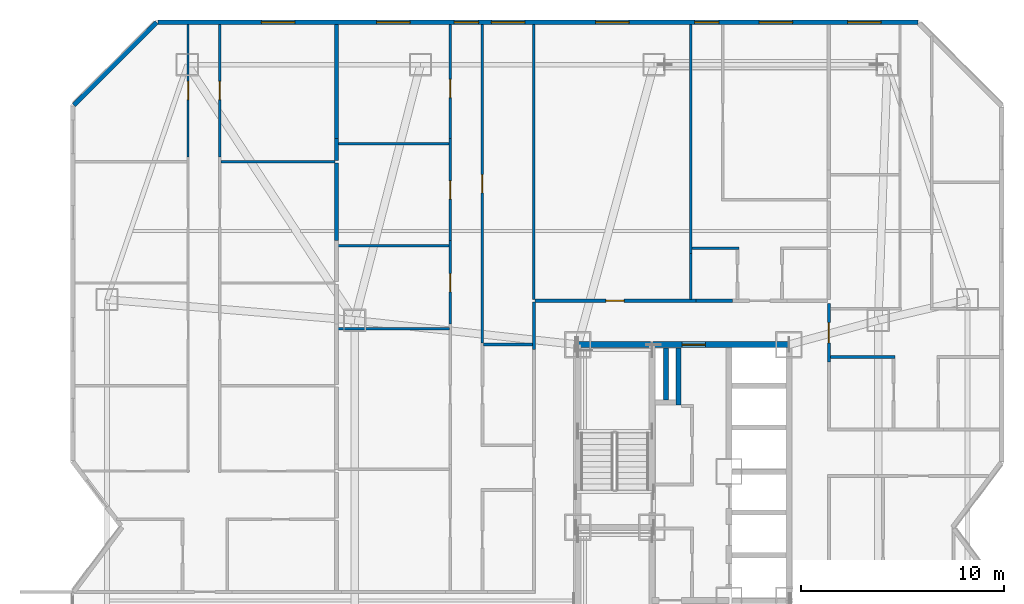
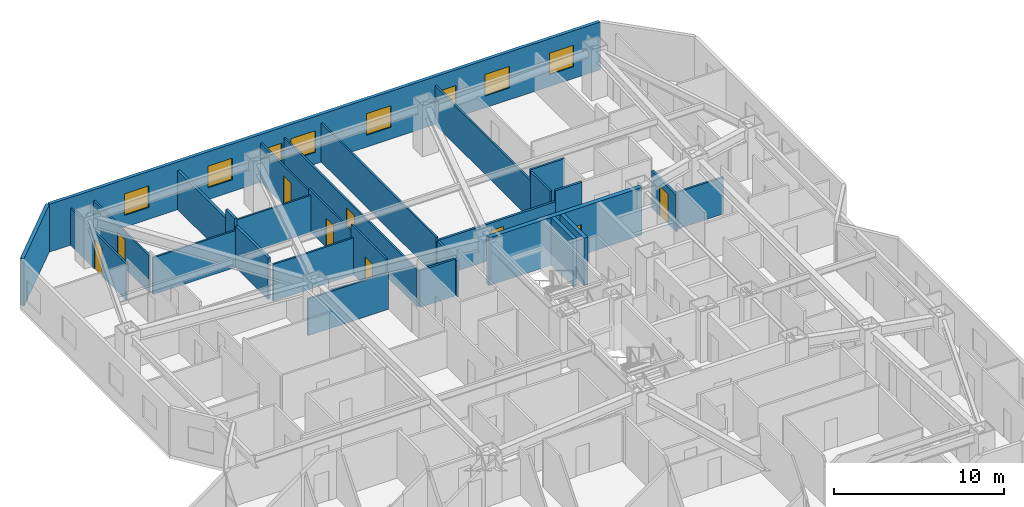
# One storey, part 16 of 19: 28 walls, 9 doors, 8 windows, 17 openings.
"""IFC4 building model written with IfcOpenShell, lengths in metres."""

from ifc_helpers import new_model, si_unit, direction, frame, frame_2d, origin, place, context, subcontext, project, spatial, rectangle, extrude, material, layer, layer_set, type_object, element, fill, save


model = new_model("IFC4")

# Units and contexts
model_context = context("Model", 3, precision=1e-05, world=origin(), true_north=direction((0.0, 1.0)))
body_context = subcontext(model_context, "Body", "Model", "MODEL_VIEW")
ifc_project = project(units=[si_unit("LENGTHUNIT", "METRE"), si_unit("AREAUNIT", "SQUARE_METRE"), si_unit("VOLUMEUNIT", "CUBIC_METRE"), si_unit("PLANEANGLEUNIT", "RADIAN"), si_unit("MASSUNIT", "GRAM", prefix="KILO")], contexts=[model_context])

# Site, building, storey
site_placement = place(None, origin())
site = spatial("IfcSite", under=ifc_project, at=site_placement, CompositionType="ELEMENT")
building_placement = place(site_placement, origin())
building = spatial("IfcBuilding", under=site, at=building_placement, Name="Khamvora Tower", CompositionType="ELEMENT")
storey_placement = place(building_placement, frame((0.0, 0.0, 58.85009765625)))
storey = spatial("IfcBuildingStorey", under=building, at=storey_placement, Name="L14", CompositionType="ELEMENT", Elevation=58.85009765625)

# Wall, opening, door
ifc_material_1 = material(Name="Concrete C50/60", Category="concrete")
ifc_layer_1 = layer(ifc_material_1, 0.300048828125)
ifc_layer_set_1 = layer_set([ifc_layer_1], Name="Concrete C50/60")
wall_type_1 = type_object("IfcWallType", Name="WAL-CORE-300", PredefinedType="SHEAR", material=ifc_layer_set_1)
wall_1_placement = place(storey_placement, frame((29.0, 37.0, 0.0), z_axis=(0.0, 0.0, 1.0), x_axis=(1.0, 0.0, 0.0)))
wall_1 = element("IfcWall", 1, at=wall_1_placement, inside=storey, type_object=wall_type_1, Name="L14 central core north wall", PredefinedType="SHEAR", context=body_context, shape_type="SweptSolid", body=[
    extrude(rectangle(XDim=10.39990234375, YDim=0.300048828125, at=frame_2d((5.199951171875, 0.0))), origin(), (0.0, 0.0, 1.0), 3.429931640625),
])
opening_1_placement = place(wall_1_placement, frame((5.139892578125, 0.0, 0.0)))
opening_1 = element("IfcOpeningElement", 2, at=opening_1_placement, cuts=wall_1, Name="Opening D-SC1", PredefinedType="OPENING", context=body_context, shape_type="SweptSolid", body=[
    extrude(rectangle(XDim=1.14990234375, YDim=2.199951171875, at=frame_2d((0.574951171875, 1.10009765625))), frame((0.0, 0.159912109375, 0.0), z_axis=(0.0, -1.0, 0.0), x_axis=(1.0, 0.0, 0.0)), (0.0, 0.0, 1.0), 0.320068359375),
])
ifc_material_2 = material(Name="Powder-Coated Steel and Hardwood Leaf", Category="steel")
door_type_1 = type_object("IfcDoorType", Name="DOR-SCHL-1150", OperationType="NOTDEFINED", PredefinedType="DOOR", material=ifc_material_2)
door_1_placement = place(opening_1_placement, origin())
door_1 = element("IfcDoor", 3, at=door_1_placement, inside=storey, type_object=door_type_1, Name="L14 north core lobby to corridor fire door", OperationType="SINGLE_SWING_LEFT", OverallHeight=2.199951171875, OverallWidth=1.14990234375, PredefinedType="DOOR", context=body_context, shape_type="SweptSolid", body=[
    extrude(rectangle(XDim=1.14990234375, YDim=2.199951171875, at=frame_2d((0.574951171875, 1.10009765625))), frame((0.0, 0.02490234375, 0.0), z_axis=(0.0, -1.0, 0.0), x_axis=(1.0, 0.0, 0.0)), (0.0, 0.0, 1.0), 0.050048828125),
])
fill(opening_1, door_1)

ifc_material_3 = material(Name="Fire-Rated Drywall and Steel Stud", Category="steel")
ifc_layer_2 = layer(ifc_material_3, 0.14990234375)
ifc_layer_set_2 = layer_set([ifc_layer_2], Name="Fire-Rated Drywall and Steel Stud")
wall_type_2 = type_object("IfcWallType", Name="WAL-CORR-150", PredefinedType="STANDARD", material=ifc_layer_set_2)
wall_2_placement = place(storey_placement, frame((26.89990234375, 39.1650390625, 0.0), z_axis=(0.0, 0.0, 1.0), x_axis=(1.0, 0.0, 0.0)))
wall_2 = element("IfcWall", 4, at=wall_2_placement, inside=storey, type_object=wall_type_2, Name="L14 interior partition wall 006", PredefinedType="STANDARD", context=body_context, shape_type="SweptSolid", body=[
    extrude(rectangle(XDim=7.9140625, YDim=0.14990234375, at=frame_2d((3.95703125, 0.0))), origin(), (0.0, 0.0, 1.0), 2.64697265625),
])
opening_2_placement = place(wall_2_placement, frame((3.486083984375, 0.0, 0.0)))
opening_2 = element("IfcOpeningElement", 5, at=opening_2_placement, cuts=wall_2, Name="Opening D-RM1", PredefinedType="OPENING", context=body_context, shape_type="SweptSolid", body=[
    extrude(rectangle(XDim=0.89990234375, YDim=2.10009765625, at=frame_2d((0.449951171875, 1.050048828125))), frame((0.0, 0.0849609375, 0.0), z_axis=(0.0, -1.0, 0.0), x_axis=(1.0, 0.0, 0.0)), (0.0, 0.0, 1.0), 0.169921875),
])
door_type_2 = type_object("IfcDoorType", Name="DOR-ROOM-900", OperationType="NOTDEFINED", PredefinedType="DOOR", material=ifc_material_2)
door_2_placement = place(opening_2_placement, origin())
door_2 = element("IfcDoor", 6, at=door_2_placement, inside=storey, type_object=door_type_2, Name="L14 interior door COR-RPLY", OperationType="SINGLE_SWING_RIGHT", OverallHeight=2.10009765625, OverallWidth=0.89990234375, PredefinedType="DOOR", context=body_context, shape_type="SweptSolid", body=[
    extrude(rectangle(XDim=0.89990234375, YDim=2.10009765625, at=frame_2d((0.449951171875, 1.050048828125))), frame((0.0, 0.02490234375, 0.0), z_axis=(0.0, -1.0, 0.0), x_axis=(1.0, 0.0, 0.0)), (0.0, 0.0, 1.0), 0.050048828125),
])
fill(opening_2, door_2)

# Walls
wall_3_placement = place(storey_placement, frame((26.8349609375, 36.757080078125, 0.0), z_axis=(0.0, 0.0, 1.0), x_axis=(0.0, 1.0, 0.0)))
element("IfcWall", 7, at=wall_3_placement, inside=storey, type_object=wall_type_2, Name="L14 interior partition wall 019", PredefinedType="STANDARD", context=body_context, shape_type="SweptSolid", body=[
    extrude(rectangle(XDim=2.343017578125, YDim=0.14990234375, at=frame_2d((1.17138671875, 0.0))), origin(), (0.0, 0.0, 1.0), 2.64697265625),
])
wall_4_placement = place(storey_placement, frame((34.81396484375, 39.1650390625, 0.0), z_axis=(0.0, 0.0, 1.0), x_axis=(1.0, 0.0, 0.0)))
element("IfcWall", 8, at=wall_4_placement, inside=storey, type_object=wall_type_2, Name="L14 interior partition wall 031", PredefinedType="STANDARD", context=body_context, shape_type="SweptSolid", body=[
    extrude(rectangle(XDim=1.802001953125, YDim=0.14990234375, at=frame_2d((0.90087890625, 0.0))), origin(), (0.0, 0.0, 1.0), 3.429931640625),
])

# Wall, opening, door
wall_5_placement = place(storey_placement, frame((41.364990234375, 39.02392578125, 0.0), z_axis=(0.0, 0.0, 1.0), x_axis=(0.0, -1.0, 0.0)))
wall_5 = element("IfcWall", 9, at=wall_5_placement, inside=storey, type_object=wall_type_2, Name="L14 interior partition wall 038", PredefinedType="STANDARD", context=body_context, shape_type="SweptSolid", body=[
    extrude(rectangle(XDim=2.8779296875, YDim=0.14990234375, at=frame_2d((1.43896484375, 0.0))), origin(), (0.0, 0.0, 1.0), 2.64697265625),
])
opening_3_placement = place(wall_5_placement, frame((0.93896484375, 0.0, 0.0)))
opening_3 = element("IfcOpeningElement", 10, at=opening_3_placement, cuts=wall_5, Name="Opening D-U1", PredefinedType="OPENING", context=body_context, shape_type="SweptSolid", body=[
    extrude(rectangle(XDim=1.0, YDim=2.14990234375, at=frame_2d((0.5, 1.074951171875))), frame((0.0, 0.0849609375, 0.0), z_axis=(0.0, -1.0, 0.0), x_axis=(1.0, 0.0, 0.0)), (0.0, 0.0, 1.0), 0.169921875),
])
door_type_3 = type_object("IfcDoorType", Name="DOR-UNIT-1000", OperationType="NOTDEFINED", PredefinedType="DOOR", material=ifc_material_2)
door_3_placement = place(opening_3_placement, origin())
door_3 = element("IfcDoor", 11, at=door_3_placement, inside=storey, type_object=door_type_3, Name="L14 interior door COR-14ECH", OperationType="SINGLE_SWING_RIGHT", OverallHeight=2.14990234375, OverallWidth=1.0, PredefinedType="DOOR", context=body_context, shape_type="SweptSolid", body=[
    extrude(rectangle(XDim=1.0, YDim=2.14990234375, at=frame_2d((0.5, 1.074951171875))), frame((0.0, 0.02490234375, 0.0), z_axis=(0.0, -1.0, 0.0), x_axis=(1.0, 0.0, 0.0)), (0.0, 0.0, 1.0), 0.050048828125),
])
fill(opening_3, door_3)

# Walls
ifc_material_4 = material(Name="Acoustic Double-Stud Fire Wall", Category="gypsum")
ifc_layer_3 = layer(ifc_material_4, 0.179931640625)
ifc_layer_set_3 = layer_set([ifc_layer_3], Name="Acoustic Double-Stud Fire Wall")
wall_type_3 = type_object("IfcWallType", Name="WAL-CORR-180", PredefinedType="STANDARD", material=ifc_layer_set_3)
wall_6_placement = place(storey_placement, frame((17.10498046875, 45.945068359375, 0.0), z_axis=(0.0, 0.0, 1.0), x_axis=(0.0, -1.0, 0.0)))
element("IfcWall", 12, at=wall_6_placement, inside=storey, type_object=wall_type_3, Name="L14 interior partition wall 106", PredefinedType="STANDARD", context=body_context, shape_type="SweptSolid", body=[
    extrude(rectangle(XDim=3.821044921875, YDim=0.179931640625, at=frame_2d((1.91064453125, 0.0))), origin(), (0.0, 0.0, 1.0), 2.9609375),
])
wall_7_placement = place(storey_placement, frame((17.10498046875, 47.159912109375, 0.0), z_axis=(0.0, 0.0, 1.0), x_axis=(0.0, -1.0, 0.0)))
element("IfcWall", 13, at=wall_7_placement, inside=storey, type_object=wall_type_3, Name="L14 interior partition wall 107", PredefinedType="STANDARD", context=body_context, shape_type="SweptSolid", body=[
    extrude(rectangle(XDim=1.0849609375, YDim=0.179931640625, at=frame_2d((0.54248046875, 0.0))), origin(), (0.0, 0.0, 1.0), 3.429931640625),
])
wall_8_placement = place(storey_placement, frame((17.10498046875, 52.7880859375, 0.0), z_axis=(0.0, 0.0, 1.0), x_axis=(0.0, -1.0, 0.0)))
element("IfcWall", 14, at=wall_8_placement, inside=storey, type_object=wall_type_3, Name="L14 interior partition wall 108", PredefinedType="STANDARD", context=body_context, shape_type="SweptSolid", body=[
    extrude(rectangle(XDim=5.628173828125, YDim=0.179931640625, at=frame_2d((2.81396484375, 0.0))), origin(), (0.0, 0.0, 1.0), 2.802978515625),
])
ifc_material_5 = material(Name="Precast concrete C40/50", Category="concrete")
ifc_layer_4 = layer(ifc_material_5, 0.219970703125)
ifc_layer_set_4 = layer_set([ifc_layer_4], Name="Precast concrete C40/50")
wall_type_4 = type_object("IfcWallType", Name="WAL-EXT-220", PredefinedType="STANDARD", material=ifc_layer_set_4)
wall_9_placement = place(storey_placement, frame((4.157958984375, 48.802001953125, 0.0), z_axis=(0.0, 0.0, 1.0), x_axis=(0.70712789547, 0.707085666273, 0.0)))
element("IfcWall", 15, at=wall_9_placement, inside=storey, type_object=wall_type_4, Name="L14 exterior facade wall 06.1", PredefinedType="STANDARD", context=body_context, shape_type="SweptSolid", body=[
    extrude(rectangle(XDim=5.78125, YDim=0.219970703125, at=frame_2d((2.890625, 0.0))), origin(), (0.0, 0.0, 1.0), 3.429931640625),
])

# Wall, openings, windows
wall_10_placement = place(storey_placement, frame((8.31494140625, 52.889892578125, 0.0), z_axis=(0.0, 0.0, 1.0), x_axis=(1.0, 0.0, 0.0)))
wall_10 = element("IfcWall", 16, at=wall_10_placement, inside=storey, type_object=wall_type_4, Name="L14 exterior facade wall 07.1", PredefinedType="STANDARD", context=body_context, shape_type="SweptSolid", body=[
    extrude(rectangle(XDim=37.43896484375, YDim=0.219970703125, at=frame_2d((18.719482421875, 0.0))), origin(), (0.0, 0.0, 1.0), 3.429931640625),
])
opening_4_placement = place(wall_10_placement, frame((21.56005859375, 0.0, 0.85009765625)))
opening_4 = element("IfcOpeningElement", 17, at=opening_4_placement, cuts=wall_10, Name="Opening WN-06", PredefinedType="OPENING", context=body_context, shape_type="SweptSolid", body=[
    extrude(rectangle(XDim=1.64990234375, YDim=1.550048828125, at=frame_2d((0.824951171875, 0.77490234375))), frame((0.0, 0.119873046875, 0.0), z_axis=(0.0, -1.0, 0.0), x_axis=(1.0, 0.0, 0.0)), (0.0, 0.0, 1.0), 0.239990234375),
])
opening_5_placement = place(wall_10_placement, frame((5.093017578125, 0.0, 0.85009765625)))
opening_5 = element("IfcOpeningElement", 18, at=opening_5_placement, cuts=wall_10, Name="Opening WN-06", PredefinedType="OPENING", context=body_context, shape_type="SweptSolid", body=[
    extrude(rectangle(XDim=1.64990234375, YDim=1.550048828125, at=frame_2d((0.824951171875, 0.77490234375))), frame((0.0, 0.119873046875, 0.0), z_axis=(0.0, -1.0, 0.0), x_axis=(1.0, 0.0, 0.0)), (0.0, 0.0, 1.0), 0.239990234375),
])
opening_6_placement = place(wall_10_placement, frame((16.426025390625, 0.0, 0.85009765625)))
opening_6 = element("IfcOpeningElement", 19, at=opening_6_placement, cuts=wall_10, Name="Opening WN-06", PredefinedType="OPENING", context=body_context, shape_type="SweptSolid", body=[
    extrude(rectangle(XDim=1.64990234375, YDim=1.550048828125, at=frame_2d((0.824951171875, 0.77490234375))), frame((0.0, 0.119873046875, 0.0), z_axis=(0.0, -1.0, 0.0), x_axis=(1.0, 0.0, 0.0)), (0.0, 0.0, 1.0), 0.239990234375),
])
opening_7_placement = place(wall_10_placement, frame((14.592041015625, 0.0, 0.800048828125)))
opening_7 = element("IfcOpeningElement", 20, at=opening_7_placement, cuts=wall_10, Name="Opening WN-03", PredefinedType="OPENING", context=body_context, shape_type="SweptSolid", body=[
    extrude(rectangle(XDim=1.199951171875, YDim=1.5, at=frame_2d((0.60009765625, 0.75))), frame((0.0, 0.119873046875, 0.0), z_axis=(0.0, -1.0, 0.0), x_axis=(1.0, 0.0, 0.0)), (0.0, 0.0, 1.0), 0.239990234375),
])
opening_8_placement = place(wall_10_placement, frame((10.77099609375, 0.0, 0.85009765625)))
opening_8 = element("IfcOpeningElement", 21, at=opening_8_placement, cuts=wall_10, Name="Opening WN-06", PredefinedType="OPENING", context=body_context, shape_type="SweptSolid", body=[
    extrude(rectangle(XDim=1.64990234375, YDim=1.550048828125, at=frame_2d((0.824951171875, 0.77490234375))), frame((0.0, 0.119873046875, 0.0), z_axis=(0.0, -1.0, 0.0), x_axis=(1.0, 0.0, 0.0)), (0.0, 0.0, 1.0), 0.239990234375),
])
opening_9_placement = place(wall_10_placement, frame((26.43994140625, 0.0, 0.800048828125)))
opening_9 = element("IfcOpeningElement", 22, at=opening_9_placement, cuts=wall_10, Name="Opening WN-03", PredefinedType="OPENING", context=body_context, shape_type="SweptSolid", body=[
    extrude(rectangle(XDim=1.199951171875, YDim=1.5, at=frame_2d((0.60009765625, 0.75))), frame((0.0, 0.119873046875, 0.0), z_axis=(0.0, -1.0, 0.0), x_axis=(1.0, 0.0, 0.0)), (0.0, 0.0, 1.0), 0.239990234375),
])
opening_10_placement = place(wall_10_placement, frame((29.614990234375, 0.0, 0.85009765625)))
opening_10 = element("IfcOpeningElement", 23, at=opening_10_placement, cuts=wall_10, Name="Opening WN-06", PredefinedType="OPENING", context=body_context, shape_type="SweptSolid", body=[
    extrude(rectangle(XDim=1.64990234375, YDim=1.550048828125, at=frame_2d((0.824951171875, 0.77490234375))), frame((0.0, 0.119873046875, 0.0), z_axis=(0.0, -1.0, 0.0), x_axis=(1.0, 0.0, 0.0)), (0.0, 0.0, 1.0), 0.239990234375),
])
opening_11_placement = place(wall_10_placement, frame((33.97998046875, 0.0, 0.85009765625)))
opening_11 = element("IfcOpeningElement", 24, at=opening_11_placement, cuts=wall_10, Name="Opening WN-06", PredefinedType="OPENING", context=body_context, shape_type="SweptSolid", body=[
    extrude(rectangle(XDim=1.64990234375, YDim=1.550048828125, at=frame_2d((0.824951171875, 0.77490234375))), frame((0.0, 0.119873046875, 0.0), z_axis=(0.0, -1.0, 0.0), x_axis=(1.0, 0.0, 0.0)), (0.0, 0.0, 1.0), 0.239990234375),
])
ifc_material_6 = material(Name="Low-E Laminated Double Glazing", Category="glass")
window_type_1 = type_object("IfcWindowType", Name="WIN-VIS-1200x1500", PartitioningType="SINGLE_PANEL", PredefinedType="WINDOW", material=ifc_material_6)
window_1_placement = place(opening_7_placement, origin())
window_1 = element("IfcWindow", 25, at=window_1_placement, inside=storey, type_object=window_type_1, Name="L14 vision window 07.1.04", OverallHeight=1.5, OverallWidth=1.199951171875, PartitioningType="SINGLE_PANEL", PredefinedType="WINDOW", context=body_context, shape_type="SweptSolid", body=[
    extrude(rectangle(XDim=1.199951171875, YDim=1.5, at=frame_2d((0.60009765625, 0.75))), frame((0.0, 0.030029296875, 0.0), z_axis=(0.0, -1.0, 0.0), x_axis=(1.0, 0.0, 0.0)), (0.0, 0.0, 1.0), 0.06005859375),
])
fill(opening_7, window_1)
window_2_placement = place(opening_9_placement, origin())
window_2 = element("IfcWindow", 26, at=window_2_placement, inside=storey, type_object=window_type_1, Name="L14 vision window 07.1.06", OverallHeight=1.5, OverallWidth=1.199951171875, PartitioningType="SINGLE_PANEL", PredefinedType="WINDOW", context=body_context, shape_type="SweptSolid", body=[
    extrude(rectangle(XDim=1.199951171875, YDim=1.5, at=frame_2d((0.60009765625, 0.75))), frame((0.0, 0.030029296875, 0.0), z_axis=(0.0, -1.0, 0.0), x_axis=(1.0, 0.0, 0.0)), (0.0, 0.0, 1.0), 0.06005859375),
])
fill(opening_9, window_2)
window_type_2 = type_object("IfcWindowType", Name="WIN-VIS-1650x1550", PartitioningType="SINGLE_PANEL", PredefinedType="WINDOW", material=ifc_material_6)
window_3_placement = place(opening_4_placement, origin())
window_3 = element("IfcWindow", 27, at=window_3_placement, inside=storey, type_object=window_type_2, Name="L14 vision window 07.1.01", OverallHeight=1.550048828125, OverallWidth=1.64990234375, PartitioningType="SINGLE_PANEL", PredefinedType="WINDOW", context=body_context, shape_type="SweptSolid", body=[
    extrude(rectangle(XDim=1.64990234375, YDim=1.550048828125, at=frame_2d((0.824951171875, 0.77490234375))), frame((0.0, 0.030029296875, 0.0), z_axis=(0.0, -1.0, 0.0), x_axis=(1.0, 0.0, 0.0)), (0.0, 0.0, 1.0), 0.06005859375),
])
fill(opening_4, window_3)
window_4_placement = place(opening_5_placement, origin())
window_4 = element("IfcWindow", 28, at=window_4_placement, inside=storey, type_object=window_type_2, Name="L14 vision window 07.1.02", OverallHeight=1.550048828125, OverallWidth=1.64990234375, PartitioningType="SINGLE_PANEL", PredefinedType="WINDOW", context=body_context, shape_type="SweptSolid", body=[
    extrude(rectangle(XDim=1.64990234375, YDim=1.550048828125, at=frame_2d((0.824951171875, 0.77490234375))), frame((0.0, 0.030029296875, 0.0), z_axis=(0.0, -1.0, 0.0), x_axis=(1.0, 0.0, 0.0)), (0.0, 0.0, 1.0), 0.06005859375),
])
fill(opening_5, window_4)
window_5_placement = place(opening_6_placement, origin())
window_5 = element("IfcWindow", 29, at=window_5_placement, inside=storey, type_object=window_type_2, Name="L14 vision window 07.1.03", OverallHeight=1.550048828125, OverallWidth=1.64990234375, PartitioningType="SINGLE_PANEL", PredefinedType="WINDOW", context=body_context, shape_type="SweptSolid", body=[
    extrude(rectangle(XDim=1.64990234375, YDim=1.550048828125, at=frame_2d((0.824951171875, 0.77490234375))), frame((0.0, 0.030029296875, 0.0), z_axis=(0.0, -1.0, 0.0), x_axis=(1.0, 0.0, 0.0)), (0.0, 0.0, 1.0), 0.06005859375),
])
fill(opening_6, window_5)
window_6_placement = place(opening_8_placement, origin())
window_6 = element("IfcWindow", 30, at=window_6_placement, inside=storey, type_object=window_type_2, Name="L14 vision window 07.1.05", OverallHeight=1.550048828125, OverallWidth=1.64990234375, PartitioningType="SINGLE_PANEL", PredefinedType="WINDOW", context=body_context, shape_type="SweptSolid", body=[
    extrude(rectangle(XDim=1.64990234375, YDim=1.550048828125, at=frame_2d((0.824951171875, 0.77490234375))), frame((0.0, 0.030029296875, 0.0), z_axis=(0.0, -1.0, 0.0), x_axis=(1.0, 0.0, 0.0)), (0.0, 0.0, 1.0), 0.06005859375),
])
fill(opening_8, window_6)
window_7_placement = place(opening_10_placement, origin())
window_7 = element("IfcWindow", 31, at=window_7_placement, inside=storey, type_object=window_type_2, Name="L14 vision window 07.1.07", OverallHeight=1.550048828125, OverallWidth=1.64990234375, PartitioningType="SINGLE_PANEL", PredefinedType="WINDOW", context=body_context, shape_type="SweptSolid", body=[
    extrude(rectangle(XDim=1.64990234375, YDim=1.550048828125, at=frame_2d((0.824951171875, 0.77490234375))), frame((0.0, 0.030029296875, 0.0), z_axis=(0.0, -1.0, 0.0), x_axis=(1.0, 0.0, 0.0)), (0.0, 0.0, 1.0), 0.06005859375),
])
fill(opening_10, window_7)
window_8_placement = place(opening_11_placement, origin())
window_8 = element("IfcWindow", 32, at=window_8_placement, inside=storey, type_object=window_type_2, Name="L14 vision window 07.1.08", OverallHeight=1.550048828125, OverallWidth=1.64990234375, PartitioningType="SINGLE_PANEL", PredefinedType="WINDOW", context=body_context, shape_type="SweptSolid", body=[
    extrude(rectangle(XDim=1.64990234375, YDim=1.550048828125, at=frame_2d((0.824951171875, 0.77490234375))), frame((0.0, 0.030029296875, 0.0), z_axis=(0.0, -1.0, 0.0), x_axis=(1.0, 0.0, 0.0)), (0.0, 0.0, 1.0), 0.06005859375),
])
fill(opening_11, window_8)

# Walls
ifc_material_7 = material(Name="Gypsum Plasterboard Partition", Category="gypsum")
ifc_layer_5 = layer(ifc_material_7, 0.1201171875)
ifc_layer_set_5 = layer_set([ifc_layer_5], Name="Gypsum Plasterboard Partition")
wall_type_5 = type_object("IfcWallType", Name="WAL-PART-120", PredefinedType="PARTITIONING", material=ifc_layer_set_5)
wall_11_placement = place(storey_placement, frame((26.8349609375, 39.22998046875, 0.0), z_axis=(0.0, 0.0, 1.0), x_axis=(0.0, 1.0, 0.0)))
element("IfcWall", 33, at=wall_11_placement, inside=storey, type_object=wall_type_5, Name="L14 interior partition wall 043", PredefinedType="PARTITIONING", context=body_context, shape_type="SweptSolid", body=[
    extrude(rectangle(XDim=13.55810546875, YDim=0.1201171875, at=frame_2d((6.779052734375, 0.0))), origin(), (0.0, 0.0, 1.0), 2.802978515625),
])
wall_12_placement = place(storey_placement, frame((34.56494140625, 52.7880859375, 0.0), z_axis=(0.0, 0.0, 1.0), x_axis=(0.0, -1.0, 0.0)))
element("IfcWall", 34, at=wall_12_placement, inside=storey, type_object=wall_type_5, Name="L14 interior partition wall 044", PredefinedType="PARTITIONING", context=body_context, shape_type="SweptSolid", body=[
    extrude(rectangle(XDim=11.283203125, YDim=0.1201171875, at=frame_2d((5.6416015625, 0.0))), origin(), (0.0, 0.0, 1.0), 2.802978515625),
])

# Wall, opening, door
wall_13_placement = place(storey_placement, frame((9.7900390625, 46.259033203125, 0.0), z_axis=(0.0, 0.0, 1.0), x_axis=(0.0, 1.0, 0.0)))
wall_13 = element("IfcWall", 35, at=wall_13_placement, inside=storey, type_object=wall_type_5, Name="L14 interior partition wall 087", PredefinedType="PARTITIONING", context=body_context, shape_type="SweptSolid", body=[
    extrude(rectangle(XDim=6.529052734375, YDim=0.1201171875, at=frame_2d((3.2646484375, 0.0))), origin(), (0.0, 0.0, 1.0), 2.64697265625),
])
opening_12_placement = place(wall_13_placement, frame((2.81396484375, 0.0, 0.0)))
opening_12 = element("IfcOpeningElement", 36, at=opening_12_placement, cuts=wall_13, Name="Opening D-RM1", PredefinedType="OPENING", context=body_context, shape_type="SweptSolid", body=[
    extrude(rectangle(XDim=0.89990234375, YDim=2.10009765625, at=frame_2d((0.449951171875, 1.050048828125))), frame((0.0, 0.070068359375, 0.0), z_axis=(0.0, -1.0, 0.0), x_axis=(1.0, 0.0, 0.0)), (0.0, 0.0, 1.0), 0.14013671875),
])
door_4_placement = place(opening_12_placement, origin())
door_4 = element("IfcDoor", 37, at=door_4_placement, inside=storey, type_object=door_type_2, Name="L14 interior door 14WBH-14WBR4", OperationType="SINGLE_SWING_LEFT", OverallHeight=2.10009765625, OverallWidth=0.89990234375, PredefinedType="DOOR", context=body_context, shape_type="SweptSolid", body=[
    extrude(rectangle(XDim=0.89990234375, YDim=2.10009765625, at=frame_2d((0.449951171875, 1.050048828125))), frame((0.0, 0.02490234375, 0.0), z_axis=(0.0, -1.0, 0.0), x_axis=(1.0, 0.0, 0.0)), (0.0, 0.0, 1.0), 0.050048828125),
])
fill(opening_12, door_4)

wall_14_placement = place(storey_placement, frame((11.360107421875, 52.7880859375, 0.0), z_axis=(0.0, 0.0, 1.0), x_axis=(0.0, -1.0, 0.0)))
wall_14 = element("IfcWall", 38, at=wall_14_placement, inside=storey, type_object=wall_type_5, Name="L14 interior partition wall 092", PredefinedType="PARTITIONING", context=body_context, shape_type="SweptSolid", body=[
    extrude(rectangle(XDim=6.529052734375, YDim=0.1201171875, at=frame_2d((3.2646484375, 0.0))), origin(), (0.0, 0.0, 1.0), 2.64697265625),
])
opening_13_placement = place(wall_14_placement, frame((2.81396484375, 0.0, 0.0)))
opening_13 = element("IfcOpeningElement", 39, at=opening_13_placement, cuts=wall_14, Name="Opening D-RM1", PredefinedType="OPENING", context=body_context, shape_type="SweptSolid", body=[
    extrude(rectangle(XDim=0.89990234375, YDim=2.10009765625, at=frame_2d((0.449951171875, 1.050048828125))), frame((0.0, 0.070068359375, 0.0), z_axis=(0.0, -1.0, 0.0), x_axis=(1.0, 0.0, 0.0)), (0.0, 0.0, 1.0), 0.14013671875),
])
door_5_placement = place(opening_13_placement, origin())
door_5 = element("IfcDoor", 40, at=door_5_placement, inside=storey, type_object=door_type_2, Name="L14 interior door 14WBH-14WBR8", OperationType="SINGLE_SWING_LEFT", OverallHeight=2.10009765625, OverallWidth=0.89990234375, PredefinedType="DOOR", context=body_context, shape_type="SweptSolid", body=[
    extrude(rectangle(XDim=0.89990234375, YDim=2.10009765625, at=frame_2d((0.449951171875, 1.050048828125))), frame((0.0, 0.02490234375, 0.0), z_axis=(0.0, -1.0, 0.0), x_axis=(1.0, 0.0, 0.0)), (0.0, 0.0, 1.0), 0.050048828125),
])
fill(opening_13, door_5)

# Wall
wall_15_placement = place(storey_placement, frame((11.4140625, 46.010009765625, 0.0), z_axis=(0.0, 0.0, 1.0), x_axis=(1.0, 0.0, 0.0)))
element("IfcWall", 41, at=wall_15_placement, inside=storey, type_object=wall_type_5, Name="L14 interior partition wall 104", PredefinedType="PARTITIONING", context=body_context, shape_type="SweptSolid", body=[
    extrude(rectangle(XDim=5.6259765625, YDim=0.1201171875, at=frame_2d((2.81298828125, 0.0))), origin(), (0.0, 0.0, 1.0), 2.64697265625),
])

# Wall, opening, door
wall_16_placement = place(storey_placement, frame((24.297119140625, 37.071044921875, 0.0), z_axis=(0.0, 0.0, 1.0), x_axis=(0.0, 1.0, 0.0)))
wall_16 = element("IfcWall", 42, at=wall_16_placement, inside=storey, type_object=wall_type_5, Name="L14 interior partition wall 109", PredefinedType="PARTITIONING", context=body_context, shape_type="SweptSolid", body=[
    extrude(rectangle(XDim=15.717041015625, YDim=0.1201171875, at=frame_2d((7.8583984375, 0.0))), origin(), (0.0, 0.0, 1.0), 2.64697265625),
])
opening_14_placement = place(wall_16_placement, frame((7.408935546875, 0.0, 0.0)))
opening_14 = element("IfcOpeningElement", 43, at=opening_14_placement, cuts=wall_16, Name="Opening D-RM1", PredefinedType="OPENING", context=body_context, shape_type="SweptSolid", body=[
    extrude(rectangle(XDim=0.89990234375, YDim=2.10009765625, at=frame_2d((0.449951171875, 1.050048828125))), frame((0.0, 0.070068359375, 0.0), z_axis=(0.0, -1.0, 0.0), x_axis=(1.0, 0.0, 0.0)), (0.0, 0.0, 1.0), 0.14013671875),
])
door_6_placement = place(opening_14_placement, origin())
door_6 = element("IfcDoor", 44, at=door_6_placement, inside=storey, type_object=door_type_2, Name="L14 interior door 14WCW2-14WCH", OperationType="SINGLE_SWING_RIGHT", OverallHeight=2.10009765625, OverallWidth=0.89990234375, PredefinedType="DOOR", context=body_context, shape_type="SweptSolid", body=[
    extrude(rectangle(XDim=0.89990234375, YDim=2.10009765625, at=frame_2d((0.449951171875, 1.050048828125))), frame((0.0, 0.02490234375, 0.0), z_axis=(0.0, -1.0, 0.0), x_axis=(1.0, 0.0, 0.0)), (0.0, 0.0, 1.0), 0.050048828125),
])
fill(opening_14, door_6)

wall_17_placement = place(storey_placement, frame((22.717041015625, 38.029052734375, 0.0), z_axis=(0.0, 0.0, 1.0), x_axis=(0.0, 1.0, 0.0)))
wall_17 = element("IfcWall", 45, at=wall_17_placement, inside=storey, type_object=wall_type_5, Name="L14 interior partition wall 117", PredefinedType="PARTITIONING", context=body_context, shape_type="SweptSolid", body=[
    extrude(rectangle(XDim=4.094970703125, YDim=0.1201171875, at=frame_2d((2.04736328125, 0.0))), origin(), (0.0, 0.0, 1.0), 3.429931640625),
])
opening_15_placement = place(wall_17_placement, frame((1.575927734375, 0.0, 0.0)))
opening_15 = element("IfcOpeningElement", 46, at=opening_15_placement, cuts=wall_17, Name="Opening D-RM1", PredefinedType="OPENING", context=body_context, shape_type="SweptSolid", body=[
    extrude(rectangle(XDim=0.89990234375, YDim=2.10009765625, at=frame_2d((0.449951171875, 1.050048828125))), frame((0.0, 0.070068359375, 0.0), z_axis=(0.0, -1.0, 0.0), x_axis=(1.0, 0.0, 0.0)), (0.0, 0.0, 1.0), 0.14013671875),
])
door_7_placement = place(opening_15_placement, origin())
door_7 = element("IfcDoor", 47, at=door_7_placement, inside=storey, type_object=door_type_2, Name="L14 interior door 14WCH-14WCR3", OperationType="SINGLE_SWING_LEFT", OverallHeight=2.10009765625, OverallWidth=0.89990234375, PredefinedType="DOOR", context=body_context, shape_type="SweptSolid", body=[
    extrude(rectangle(XDim=0.89990234375, YDim=2.10009765625, at=frame_2d((0.449951171875, 1.050048828125))), frame((0.0, 0.02490234375, 0.0), z_axis=(0.0, -1.0, 0.0), x_axis=(1.0, 0.0, 0.0)), (0.0, 0.0, 1.0), 0.050048828125),
])
fill(opening_15, door_7)

wall_18_placement = place(storey_placement, frame((22.717041015625, 42.1240234375, 0.0), z_axis=(0.0, 0.0, 1.0), x_axis=(0.0, 1.0, 0.0)))
wall_18 = element("IfcWall", 48, at=wall_18_placement, inside=storey, type_object=wall_type_5, Name="L14 interior partition wall 118", PredefinedType="PARTITIONING", context=body_context, shape_type="SweptSolid", body=[
    extrude(rectangle(XDim=5.035888671875, YDim=0.1201171875, at=frame_2d((2.51806640625, 0.0))), origin(), (0.0, 0.0, 1.0), 2.9609375),
])
opening_16_placement = place(wall_18_placement, frame((2.047119140625, 0.0, 0.0)))
opening_16 = element("IfcOpeningElement", 49, at=opening_16_placement, cuts=wall_18, Name="Opening D-RM1", PredefinedType="OPENING", context=body_context, shape_type="SweptSolid", body=[
    extrude(rectangle(XDim=0.89990234375, YDim=2.10009765625, at=frame_2d((0.449951171875, 1.050048828125))), frame((0.0, 0.070068359375, 0.0), z_axis=(0.0, -1.0, 0.0), x_axis=(1.0, 0.0, 0.0)), (0.0, 0.0, 1.0), 0.14013671875),
])
door_8_placement = place(opening_16_placement, origin())
door_8 = element("IfcDoor", 50, at=door_8_placement, inside=storey, type_object=door_type_2, Name="L14 interior door 14WCH-14WCR4", OperationType="SINGLE_SWING_RIGHT", OverallHeight=2.10009765625, OverallWidth=0.89990234375, PredefinedType="DOOR", context=body_context, shape_type="SweptSolid", body=[
    extrude(rectangle(XDim=0.89990234375, YDim=2.10009765625, at=frame_2d((0.449951171875, 1.050048828125))), frame((0.0, 0.02490234375, 0.0), z_axis=(0.0, -1.0, 0.0), x_axis=(1.0, 0.0, 0.0)), (0.0, 0.0, 1.0), 0.050048828125),
])
fill(opening_16, door_8)

wall_19_placement = place(storey_placement, frame((22.717041015625, 47.159912109375, 0.0), z_axis=(0.0, 0.0, 1.0), x_axis=(0.0, 1.0, 0.0)))
wall_19 = element("IfcWall", 51, at=wall_19_placement, inside=storey, type_object=wall_type_5, Name="L14 interior partition wall 119", PredefinedType="PARTITIONING", context=body_context, shape_type="SweptSolid", body=[
    extrude(rectangle(XDim=5.628173828125, YDim=0.1201171875, at=frame_2d((2.81396484375, 0.0))), origin(), (0.0, 0.0, 1.0), 2.802978515625),
])
opening_17_placement = place(wall_19_placement, frame((2.010986328125, 0.0, 0.0)))
opening_17 = element("IfcOpeningElement", 52, at=opening_17_placement, cuts=wall_19, Name="Opening D-RM1", PredefinedType="OPENING", context=body_context, shape_type="SweptSolid", body=[
    extrude(rectangle(XDim=0.89990234375, YDim=2.10009765625, at=frame_2d((0.449951171875, 1.050048828125))), frame((0.0, 0.070068359375, 0.0), z_axis=(0.0, -1.0, 0.0), x_axis=(1.0, 0.0, 0.0)), (0.0, 0.0, 1.0), 0.14013671875),
])
door_9_placement = place(opening_17_placement, origin())
door_9 = element("IfcDoor", 53, at=door_9_placement, inside=storey, type_object=door_type_2, Name="L14 interior door 14WCH-14WCR5", OperationType="SINGLE_SWING_LEFT", OverallHeight=2.10009765625, OverallWidth=0.89990234375, PredefinedType="DOOR", context=body_context, shape_type="SweptSolid", body=[
    extrude(rectangle(XDim=0.89990234375, YDim=2.10009765625, at=frame_2d((0.449951171875, 1.050048828125))), frame((0.0, 0.02490234375, 0.0), z_axis=(0.0, -1.0, 0.0), x_axis=(1.0, 0.0, 0.0)), (0.0, 0.0, 1.0), 0.050048828125),
])
fill(opening_17, door_9)

# Walls
for number, where, z_axis, x_axis, name in (
    (54, (17.18701171875, 37.779052734375, 0.0), (0.0, 0.0, 1.0), (1.0, 0.0, 0.0), "L14 interior partition wall 121"),
    (55, (17.18701171875, 41.8740234375, 0.0), (0.0, 0.0, 1.0), (1.0, 0.0, 0.0), "L14 interior partition wall 122"),
    (56, (17.18701171875, 46.910888671875, 0.0), (0.0, 0.0, 1.0), (1.0, 0.0, 0.0), "L14 interior partition wall 123"),
):
    element("IfcWall", number, at=place(storey_placement, frame(where, z_axis=z_axis, x_axis=x_axis)), inside=storey, type_object=wall_type_5, Name=name, PredefinedType="PARTITIONING", context=body_context, shape_type="SweptSolid", body=[
        extrude(rectangle(XDim=5.47607421875, YDim=0.1201171875, at=frame_2d((2.738037109375, 0.0))), origin(), (0.0, 0.0, 1.0), 2.64697265625),
    ])
ifc_material_8 = material(Name="Concrete C40/50", Category="concrete")
ifc_layer_6 = layer(ifc_material_8, 0.25)
ifc_layer_set_6 = layer_set([ifc_layer_6], Name="Concrete C40/50")
wall_type_6 = type_object("IfcWallType", Name="WAL-PODS-250", PredefinedType="SHEAR", material=ifc_layer_set_6)
wall_20_placement = place(storey_placement, frame((33.955078125, 34.02490234375, 0.0), z_axis=(0.0, 0.0, 1.0), x_axis=(0.0, 1.0, 0.0)))
element("IfcWall", 57, at=wall_20_placement, inside=storey, type_object=wall_type_6, Name="L14 vertical MEP riser shaft east enclosure wall", PredefinedType="SHEAR", context=body_context, shape_type="SweptSolid", body=[
    extrude(rectangle(XDim=2.821044921875, YDim=0.25, at=frame_2d((1.41064453125, 0.0))), origin(), (0.0, 0.0, 1.0), 3.429931640625),
])
wall_21_placement = place(storey_placement, frame((33.340087890625, 34.279052734375, 0.0), z_axis=(0.0, 0.0, 1.0), x_axis=(0.0, 1.0, 0.0)))
element("IfcWall", 58, at=wall_21_placement, inside=storey, type_object=wall_type_6, Name="L14 vertical MEP riser shaft divider enclosure wall", PredefinedType="SHEAR", context=body_context, shape_type="SweptSolid", body=[
    extrude(rectangle(XDim=2.56689453125, YDim=0.25, at=frame_2d((1.283447265625, 0.0))), origin(), (0.0, 0.0, 1.0), 3.429931640625),
])
ifc_material_9 = material(Name="Moisture-Resistant Plasterboard Partition", Category="gypsum")
ifc_layer_7 = layer(ifc_material_9, 0.135009765625)
ifc_layer_set_7 = layer_set([ifc_layer_7], Name="Moisture-Resistant Plasterboard Partition")
wall_type_7 = type_object("IfcWallType", Name="WAL-WET-135", PredefinedType="PARTITIONING", material=ifc_layer_set_7)
wall_22_placement = place(storey_placement, frame((34.56494140625, 41.5048828125, 0.0), z_axis=(0.0, 0.0, 1.0), x_axis=(0.0, -1.0, 0.0)))
element("IfcWall", 59, at=wall_22_placement, inside=storey, type_object=wall_type_7, Name="L14 interior partition wall 045", PredefinedType="PARTITIONING", context=body_context, shape_type="SweptSolid", body=[
    extrude(rectangle(XDim=2.27294921875, YDim=0.135009765625, at=frame_2d((1.136474609375, 0.0))), origin(), (0.0, 0.0, 1.0), 3.429931640625),
])
wall_23_placement = place(storey_placement, frame((26.77001953125, 37.006103515625, 0.0), z_axis=(0.0, 0.0, 1.0), x_axis=(-1.0, 0.0, 0.0)))
element("IfcWall", 60, at=wall_23_placement, inside=storey, type_object=wall_type_7, Name="L14 interior partition wall 110", PredefinedType="PARTITIONING", context=body_context, shape_type="SweptSolid", body=[
    extrude(rectangle(XDim=2.407958984375, YDim=0.135009765625, at=frame_2d((1.2041015625, 0.0))), origin(), (0.0, 0.0, 1.0), 2.64697265625),
])
wall_24_placement = place(storey_placement, frame((36.929931640625, 41.75390625, 0.0), z_axis=(0.0, 0.0, 1.0), x_axis=(-1.0, 0.0, 0.0)))
element("IfcWall", 61, at=wall_24_placement, inside=storey, type_object=wall_type_7, Name="L14 interior partition wall 143", PredefinedType="PARTITIONING", context=body_context, shape_type="SweptSolid", body=[
    extrude(rectangle(XDim=2.31103515625, YDim=0.135009765625, at=frame_2d((1.155517578125, 0.0))), origin(), (0.0, 0.0, 1.0), 3.429931640625),
])
wall_25_placement = place(storey_placement, frame((44.625, 36.39501953125, 0.0), z_axis=(0.0, 0.0, 1.0), x_axis=(-1.0, 0.0, 0.0)))
element("IfcWall", 62, at=wall_25_placement, inside=storey, type_object=wall_type_7, Name="L14 interior partition wall 166", PredefinedType="PARTITIONING", context=body_context, shape_type="SweptSolid", body=[
    extrude(rectangle(XDim=3.193115234375, YDim=0.135009765625, at=frame_2d((1.5966796875, 0.0))), origin(), (0.0, 0.0, 1.0), 2.64697265625),
])

save(model, "model.ifc")
